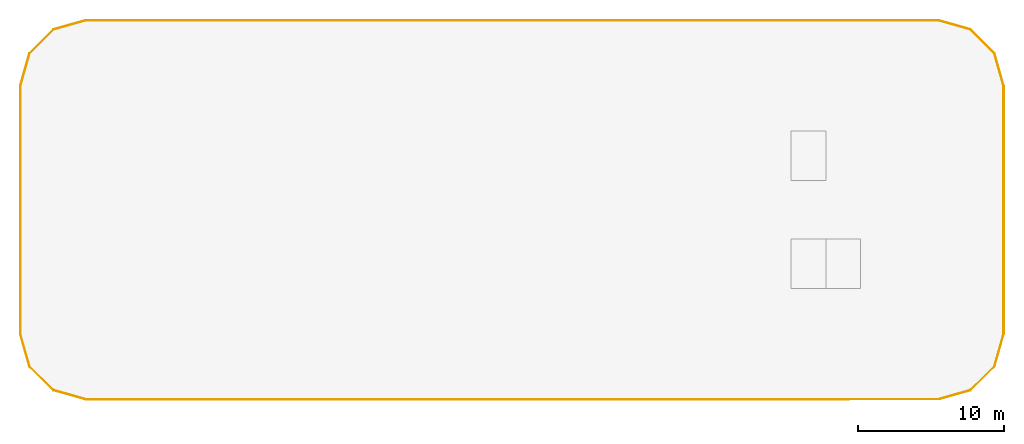
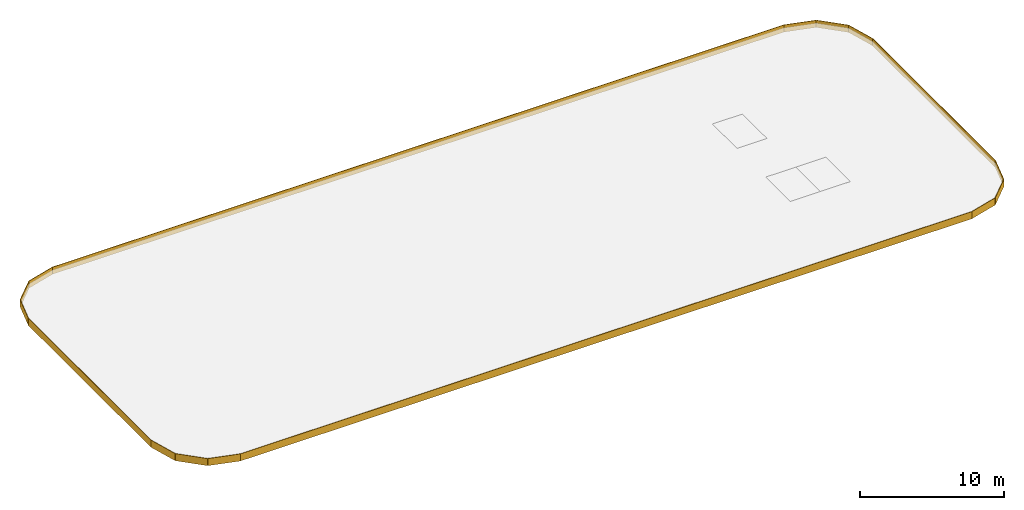
# One storey, part 2 of 2: 16 coverings.
"""IFC4 building model written with IfcOpenShell, lengths in metres."""

from ifc_helpers import new_model, si_unit, direction, frame, origin, place, context, subcontext, project, spatial, polyline, outline, extrude, material, layer, layer_set, type_object, element, save


model = new_model("IFC4")

# Units and contexts
model_context = context("Model", 3, precision=1e-05, world=origin(), true_north=direction((0.0, 1.0)))
body_context = subcontext(model_context, "Body", "Model", "MODEL_VIEW")
ifc_project = project(units=[si_unit("LENGTHUNIT", "METRE"), si_unit("AREAUNIT", "SQUARE_METRE"), si_unit("VOLUMEUNIT", "CUBIC_METRE"), si_unit("PLANEANGLEUNIT", "RADIAN"), si_unit("MASSUNIT", "GRAM", prefix="KILO")], contexts=[model_context])

# Site, building, storey
site_placement = place(None, origin())
site = spatial("IfcSite", under=ifc_project, at=site_placement, CompositionType="ELEMENT")
building_placement = place(site_placement, origin())
building = spatial("IfcBuilding", under=site, at=building_placement, Name="Skarvind Civic Tower", CompositionType="ELEMENT")
storey_placement = place(building_placement, frame((0.0, 0.0, 300.0)))
storey = spatial("IfcBuildingStorey", under=building, at=storey_placement, Name="L71", CompositionType="ELEMENT", Elevation=300.0)

# Coverings
ifc_material = material(Name="Copper cladding")
ifc_layer = layer(ifc_material, 0.0400390625)
ifc_layer_set = layer_set([ifc_layer], Name="CC2 COPPER FASCIA 40")
covering_type = type_object("IfcCoveringType", Name="CC2 COPPER FASCIA 40", PredefinedType="CLADDING", material=ifc_layer_set)
covering_1_placement = place(storey_placement, frame((0.0, 0.0, -0.375)))
element("IfcCovering", 1, at=covering_1_placement, inside=storey, type_object=covering_type, Name="COPPER CLADDING", PredefinedType="CLADDING", context=body_context, shape_type="SweptSolid", body=[
    extrude(outline(polyline([(105.5, 141.0), (47.0, 141.0), (47.0, 141.0400390625), (105.5, 141.0400390625), (105.5, 141.0)])), origin(), (0.0, 0.0, 1.0), 0.60009765625),
])
covering_2_placement = place(storey_placement, frame((0.0, 0.0, -0.375)))
element("IfcCovering", 2, at=covering_2_placement, inside=storey, type_object=covering_type, Name="COPPER CLADDING", PredefinedType="CLADDING", context=body_context, shape_type="SweptSolid", body=[
    extrude(outline(polyline([(47.0, 141.0), (44.770263671875, 140.368408203125), (44.75927734375, 140.406982421875), (46.989013671875, 141.03857421875), (47.0, 141.0)])), origin(), (0.0, 0.0, 1.0), 0.60009765625),
])
covering_3_placement = place(storey_placement, frame((0.0, 0.0, -0.375)))
element("IfcCovering", 3, at=covering_3_placement, inside=storey, type_object=covering_type, Name="COPPER CLADDING", PredefinedType="CLADDING", context=body_context, shape_type="SweptSolid", body=[
    extrude(outline(polyline([(44.770263671875, 140.368408203125), (43.131591796875, 138.729736328125), (43.103271484375, 138.758056640625), (44.741943359375, 140.396728515625), (44.770263671875, 140.368408203125)])), origin(), (0.0, 0.0, 1.0), 0.60009765625),
])
covering_4_placement = place(storey_placement, frame((0.0, 0.0, -0.375)))
element("IfcCovering", 4, at=covering_4_placement, inside=storey, type_object=covering_type, Name="COPPER CLADDING", PredefinedType="CLADDING", context=body_context, shape_type="SweptSolid", body=[
    extrude(outline(polyline([(43.131591796875, 138.729736328125), (42.5, 136.5), (42.46142578125, 136.510986328125), (43.093017578125, 138.74072265625), (43.131591796875, 138.729736328125)])), origin(), (0.0, 0.0, 1.0), 0.60009765625),
])
covering_5_placement = place(storey_placement, frame((0.0, 0.0, -0.375)))
element("IfcCovering", 5, at=covering_5_placement, inside=storey, type_object=covering_type, Name="COPPER CLADDING", PredefinedType="CLADDING", context=body_context, shape_type="SweptSolid", body=[
    extrude(outline(polyline([(42.5, 136.5), (42.5, 119.5), (42.4599609375, 119.5), (42.4599609375, 136.5), (42.5, 136.5)])), origin(), (0.0, 0.0, 1.0), 0.60009765625),
])
covering_6_placement = place(storey_placement, frame((0.0, 0.0, -0.375)))
element("IfcCovering", 6, at=covering_6_placement, inside=storey, type_object=covering_type, Name="COPPER CLADDING", PredefinedType="CLADDING", context=body_context, shape_type="SweptSolid", body=[
    extrude(outline(polyline([(42.5, 119.5), (43.131591796875, 117.270263671875), (43.093017578125, 117.25927734375), (42.46142578125, 119.489013671875), (42.5, 119.5)])), origin(), (0.0, 0.0, 1.0), 0.60009765625),
])
covering_7_placement = place(storey_placement, frame((0.0, 0.0, -0.375)))
element("IfcCovering", 7, at=covering_7_placement, inside=storey, type_object=covering_type, Name="COPPER CLADDING", PredefinedType="CLADDING", context=body_context, shape_type="SweptSolid", body=[
    extrude(outline(polyline([(43.131591796875, 117.270263671875), (44.770263671875, 115.631591796875), (44.741943359375, 115.603271484375), (43.103271484375, 117.241943359375), (43.131591796875, 117.270263671875)])), origin(), (0.0, 0.0, 1.0), 0.60009765625),
])
covering_8_placement = place(storey_placement, frame((0.0, 0.0, -0.375)))
element("IfcCovering", 8, at=covering_8_placement, inside=storey, type_object=covering_type, Name="COPPER CLADDING", PredefinedType="CLADDING", context=body_context, shape_type="SweptSolid", body=[
    extrude(outline(polyline([(44.770263671875, 115.631591796875), (47.0, 115.0), (46.989013671875, 114.96142578125), (44.75927734375, 115.593017578125), (44.770263671875, 115.631591796875)])), origin(), (0.0, 0.0, 1.0), 0.60009765625),
])
covering_9_placement = place(storey_placement, frame((0.0, 0.0, -0.375)))
element("IfcCovering", 9, at=covering_9_placement, inside=storey, type_object=covering_type, Name="COPPER CLADDING", PredefinedType="CLADDING", context=body_context, shape_type="SweptSolid", body=[
    extrude(outline(polyline([(47.0, 115.0), (105.5, 115.0), (105.5, 114.9599609375), (47.0, 114.9599609375), (47.0, 115.0)])), origin(), (0.0, 0.0, 1.0), 0.60009765625),
])
covering_10_placement = place(storey_placement, frame((0.0, 0.0, -0.375)))
element("IfcCovering", 10, at=covering_10_placement, inside=storey, type_object=covering_type, Name="COPPER CLADDING", PredefinedType="CLADDING", context=body_context, shape_type="SweptSolid", body=[
    extrude(outline(polyline([(105.5, 115.0), (107.729736328125, 115.631591796875), (107.74072265625, 115.593017578125), (105.510986328125, 114.96142578125), (105.5, 115.0)])), origin(), (0.0, 0.0, 1.0), 0.60009765625),
])
covering_11_placement = place(storey_placement, frame((0.0, 0.0, -0.375)))
element("IfcCovering", 11, at=covering_11_placement, inside=storey, type_object=covering_type, Name="COPPER CLADDING", PredefinedType="CLADDING", context=body_context, shape_type="SweptSolid", body=[
    extrude(outline(polyline([(107.729736328125, 115.631591796875), (109.368408203125, 117.270263671875), (109.396728515625, 117.241943359375), (107.758056640625, 115.603271484375), (107.729736328125, 115.631591796875)])), origin(), (0.0, 0.0, 1.0), 0.60009765625),
])
covering_12_placement = place(storey_placement, frame((0.0, 0.0, -0.375)))
element("IfcCovering", 12, at=covering_12_placement, inside=storey, type_object=covering_type, Name="COPPER CLADDING", PredefinedType="CLADDING", context=body_context, shape_type="SweptSolid", body=[
    extrude(outline(polyline([(109.368408203125, 117.270263671875), (110.0, 119.5), (110.03857421875, 119.489013671875), (109.406982421875, 117.25927734375), (109.368408203125, 117.270263671875)])), origin(), (0.0, 0.0, 1.0), 0.60009765625),
])
covering_13_placement = place(storey_placement, frame((0.0, 0.0, -0.375)))
element("IfcCovering", 13, at=covering_13_placement, inside=storey, type_object=covering_type, Name="COPPER CLADDING", PredefinedType="CLADDING", context=body_context, shape_type="SweptSolid", body=[
    extrude(outline(polyline([(110.0, 119.5), (110.0, 136.5), (110.0400390625, 136.5), (110.0400390625, 119.5), (110.0, 119.5)])), origin(), (0.0, 0.0, 1.0), 0.60009765625),
])
covering_14_placement = place(storey_placement, frame((0.0, 0.0, -0.375)))
element("IfcCovering", 14, at=covering_14_placement, inside=storey, type_object=covering_type, Name="COPPER CLADDING", PredefinedType="CLADDING", context=body_context, shape_type="SweptSolid", body=[
    extrude(outline(polyline([(110.0, 136.5), (109.368408203125, 138.729736328125), (109.406982421875, 138.74072265625), (110.03857421875, 136.510986328125), (110.0, 136.5)])), origin(), (0.0, 0.0, 1.0), 0.60009765625),
])
covering_15_placement = place(storey_placement, frame((0.0, 0.0, -0.375)))
element("IfcCovering", 15, at=covering_15_placement, inside=storey, type_object=covering_type, Name="COPPER CLADDING", PredefinedType="CLADDING", context=body_context, shape_type="SweptSolid", body=[
    extrude(outline(polyline([(109.368408203125, 138.729736328125), (107.729736328125, 140.368408203125), (107.758056640625, 140.396728515625), (109.396728515625, 138.758056640625), (109.368408203125, 138.729736328125)])), origin(), (0.0, 0.0, 1.0), 0.60009765625),
])
covering_16_placement = place(storey_placement, frame((0.0, 0.0, -0.375)))
element("IfcCovering", 16, at=covering_16_placement, inside=storey, type_object=covering_type, Name="COPPER CLADDING", PredefinedType="CLADDING", context=body_context, shape_type="SweptSolid", body=[
    extrude(outline(polyline([(107.729736328125, 140.368408203125), (105.5, 141.0), (105.510986328125, 141.03857421875), (107.74072265625, 140.406982421875), (107.729736328125, 140.368408203125)])), origin(), (0.0, 0.0, 1.0), 0.60009765625),
])

save(model, "model.ifc")
